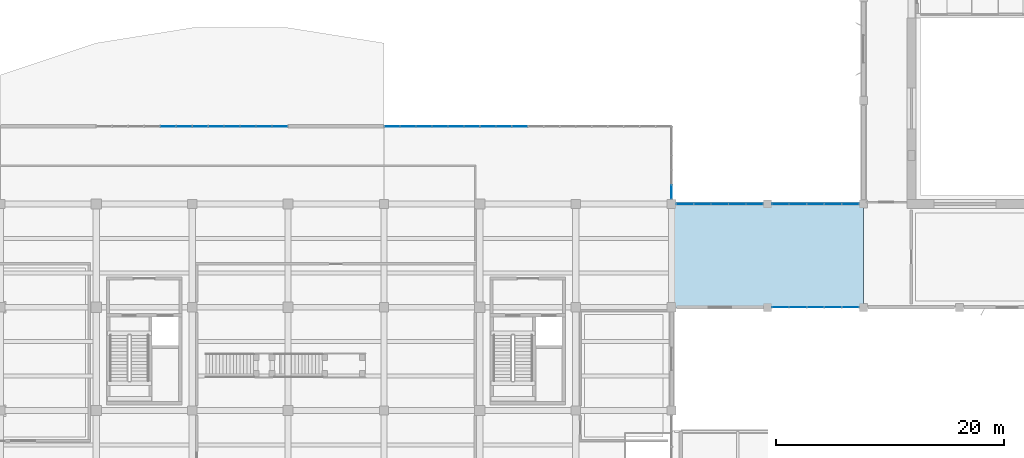
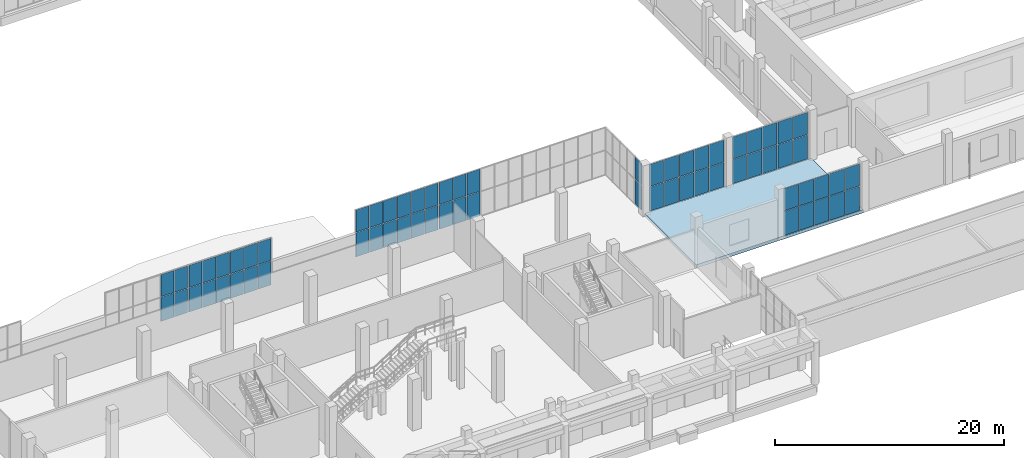
# One storey, part 65 of 91: 66 plates, 1 slab, 8 elements without a shape of their own.
"""IFC4 building model written with IfcOpenShell, lengths in metres."""

from ifc_helpers import new_model, si_unit, direction, frame, origin, origin_2d, place, context, subcontext, project, spatial, polyline, rectangle, outline, extrude, material, layer, layer_set, type_object, element, aggregate, save


model = new_model("IFC4")

# Units and contexts
model_context = context("Model", 3, precision=1e-05, world=origin(), true_north=direction((0.0, 1.0)))
body_context = subcontext(model_context, "Body", "Model", "MODEL_VIEW")
ifc_project = project(units=[si_unit("LENGTHUNIT", "METRE"), si_unit("AREAUNIT", "SQUARE_METRE"), si_unit("VOLUMEUNIT", "CUBIC_METRE"), si_unit("PLANEANGLEUNIT", "RADIAN"), si_unit("MASSUNIT", "GRAM", prefix="KILO")], contexts=[model_context])

# Site, building, storey
site_placement = place(None, origin())
site = spatial("IfcSite", under=ifc_project, at=site_placement, CompositionType="ELEMENT")
building_placement = place(site_placement, origin())
building = spatial("IfcBuilding", under=site, at=building_placement, Name="Khurvash Pelagic Aquarium", CompositionType="ELEMENT")
storey_placement = place(building_placement, origin())
storey = spatial("IfcBuildingStorey", under=building, at=storey_placement, Name="L00", CompositionType="ELEMENT", Elevation=0.0)

# Curtain wall, plates
ifc_material_1 = material(Name="Anodised aluminium and low-E laminated glass", Category="aluminium")
curtain_wall_type_1 = type_object("IfcCurtainWallType", Name="CW-02", PredefinedType="USERDEFINED", material=ifc_material_1)
curtain_wall_1_placement = place(storey_placement, origin())
curtain_wall_1 = element("IfcCurtainWall", 1, at=curtain_wall_1_placement, inside=storey, type_object=curtain_wall_type_1, Name="L00 Facade Unitised Curtain Wall CW-02 0060", ObjectType="UNITISED CURTAIN WALL", PredefinedType="USERDEFINED")
ifc_material_2 = material(Name="Low-E laminated double glazing", Category="glass")
ifc_layer_1 = layer(ifc_material_2, 0.031982421875)
ifc_layer_set_1 = layer_set([ifc_layer_1], Name="Low-E laminated double glazing")
plate_type_1 = type_object("IfcPlateType", Name="CG-02", PredefinedType="CURTAIN_PANEL", material=ifc_layer_set_1)
plate_1_placement = place(storey_placement, frame((118.739013671875, 20.699951171875, 0.06005859375), z_axis=(0.0, 0.0, 1.0), x_axis=(1.0, 0.0, 0.0)))
plate_1 = element("IfcPlate", 2, at=plate_1_placement, type_object=plate_type_1, Name="CW-02 panel 1.1", PredefinedType="CURTAIN_PANEL", context=body_context, shape_type="SweptSolid", body=[
    extrude(rectangle(XDim=1.447998046875, YDim=0.031982421875, at=origin_2d()), origin(), (0.0, 0.0, 1.0), 2.556884765625),
])
plate_2_placement = place(storey_placement, frame((118.739013671875, 20.699951171875, 2.677001953125), z_axis=(0.0, 0.0, 1.0), x_axis=(1.0, 0.0, 0.0)))
plate_2 = element("IfcPlate", 3, at=plate_2_placement, type_object=plate_type_1, Name="CW-02 panel 1.2", PredefinedType="CURTAIN_PANEL", context=body_context, shape_type="SweptSolid", body=[
    extrude(rectangle(XDim=1.447998046875, YDim=0.031982421875, at=origin_2d()), origin(), (0.0, 0.0, 1.0), 2.35302734375),
])
plate_3_placement = place(storey_placement, frame((120.261962890625, 20.699951171875, 0.06005859375), z_axis=(0.0, 0.0, 1.0), x_axis=(1.0, 0.0, 0.0)))
plate_3 = element("IfcPlate", 4, at=plate_3_placement, type_object=plate_type_1, Name="CW-02 panel 2.1", PredefinedType="CURTAIN_PANEL", context=body_context, shape_type="SweptSolid", body=[
    extrude(rectangle(XDim=1.47802734375, YDim=0.031982421875, at=origin_2d()), origin(), (0.0, 0.0, 1.0), 2.556884765625),
])
plate_4_placement = place(storey_placement, frame((120.261962890625, 20.699951171875, 2.677001953125), z_axis=(0.0, 0.0, 1.0), x_axis=(1.0, 0.0, 0.0)))
plate_4 = element("IfcPlate", 5, at=plate_4_placement, type_object=plate_type_1, Name="CW-02 panel 2.2", PredefinedType="CURTAIN_PANEL", context=body_context, shape_type="SweptSolid", body=[
    extrude(rectangle(XDim=1.47802734375, YDim=0.031982421875, at=origin_2d()), origin(), (0.0, 0.0, 1.0), 2.35302734375),
])
plate_5_placement = place(storey_placement, frame((121.800048828125, 20.699951171875, 0.06005859375), z_axis=(0.0, 0.0, 1.0), x_axis=(1.0, 0.0, 0.0)))
plate_5 = element("IfcPlate", 6, at=plate_5_placement, type_object=plate_type_1, Name="CW-02 panel 3.1", PredefinedType="CURTAIN_PANEL", context=body_context, shape_type="SweptSolid", body=[
    extrude(rectangle(XDim=1.47802734375, YDim=0.031982421875, at=origin_2d()), origin(), (0.0, 0.0, 1.0), 2.556884765625),
])
plate_6_placement = place(storey_placement, frame((121.800048828125, 20.699951171875, 2.677001953125), z_axis=(0.0, 0.0, 1.0), x_axis=(1.0, 0.0, 0.0)))
plate_6 = element("IfcPlate", 7, at=plate_6_placement, type_object=plate_type_1, Name="CW-02 panel 3.2", PredefinedType="CURTAIN_PANEL", context=body_context, shape_type="SweptSolid", body=[
    extrude(rectangle(XDim=1.47802734375, YDim=0.031982421875, at=origin_2d()), origin(), (0.0, 0.0, 1.0), 2.35302734375),
])
plate_7_placement = place(storey_placement, frame((123.337890625, 20.699951171875, 0.06005859375), z_axis=(0.0, 0.0, 1.0), x_axis=(1.0, 0.0, 0.0)))
plate_7 = element("IfcPlate", 8, at=plate_7_placement, type_object=plate_type_1, Name="CW-02 panel 4.1", PredefinedType="CURTAIN_PANEL", context=body_context, shape_type="SweptSolid", body=[
    extrude(rectangle(XDim=1.47802734375, YDim=0.031982421875, at=origin_2d()), origin(), (0.0, 0.0, 1.0), 2.556884765625),
])
plate_8_placement = place(storey_placement, frame((123.337890625, 20.699951171875, 2.677001953125), z_axis=(0.0, 0.0, 1.0), x_axis=(1.0, 0.0, 0.0)))
plate_8 = element("IfcPlate", 9, at=plate_8_placement, type_object=plate_type_1, Name="CW-02 panel 4.2", PredefinedType="CURTAIN_PANEL", context=body_context, shape_type="SweptSolid", body=[
    extrude(rectangle(XDim=1.47802734375, YDim=0.031982421875, at=origin_2d()), origin(), (0.0, 0.0, 1.0), 2.35302734375),
])
plate_9_placement = place(storey_placement, frame((124.861083984375, 20.699951171875, 0.06005859375), z_axis=(0.0, 0.0, 1.0), x_axis=(1.0, 0.0, 0.0)))
plate_9 = element("IfcPlate", 10, at=plate_9_placement, type_object=plate_type_1, Name="CW-02 panel 5.1", PredefinedType="CURTAIN_PANEL", context=body_context, shape_type="SweptSolid", body=[
    extrude(rectangle(XDim=1.447998046875, YDim=0.031982421875, at=origin_2d()), origin(), (0.0, 0.0, 1.0), 2.556884765625),
])
plate_10_placement = place(storey_placement, frame((124.861083984375, 20.699951171875, 2.677001953125), z_axis=(0.0, 0.0, 1.0), x_axis=(1.0, 0.0, 0.0)))
plate_10 = element("IfcPlate", 11, at=plate_10_placement, type_object=plate_type_1, Name="CW-02 panel 5.2", PredefinedType="CURTAIN_PANEL", context=body_context, shape_type="SweptSolid", body=[
    extrude(rectangle(XDim=1.447998046875, YDim=0.031982421875, at=origin_2d()), origin(), (0.0, 0.0, 1.0), 2.35302734375),
])
aggregate(curtain_wall_1, [plate_1, plate_2, plate_3, plate_4, plate_5, plate_6, plate_7, plate_8, plate_9, plate_10])

curtain_wall_2_placement = place(storey_placement, origin())
curtain_wall_2 = element("IfcCurtainWall", 12, at=curtain_wall_2_placement, inside=storey, type_object=curtain_wall_type_1, Name="L00 Facade Unitised Curtain Wall CW-02 0090", ObjectType="UNITISED CURTAIN WALL", PredefinedType="USERDEFINED")
plate_11_placement = place(storey_placement, frame((124.861083984375, 29.75, 0.06005859375), z_axis=(0.0, 0.0, 1.0), x_axis=(-1.0, 0.0, 0.0)))
plate_11 = element("IfcPlate", 13, at=plate_11_placement, type_object=plate_type_1, Name="CW-02 panel 1.1", PredefinedType="CURTAIN_PANEL", context=body_context, shape_type="SweptSolid", body=[
    extrude(rectangle(XDim=1.447998046875, YDim=0.031982421875, at=origin_2d()), origin(), (0.0, 0.0, 1.0), 2.556884765625),
])
plate_12_placement = place(storey_placement, frame((124.861083984375, 29.75, 2.677001953125), z_axis=(0.0, 0.0, 1.0), x_axis=(-1.0, 0.0, 0.0)))
plate_12 = element("IfcPlate", 14, at=plate_12_placement, type_object=plate_type_1, Name="CW-02 panel 1.2", PredefinedType="CURTAIN_PANEL", context=body_context, shape_type="SweptSolid", body=[
    extrude(rectangle(XDim=1.447998046875, YDim=0.031982421875, at=origin_2d()), origin(), (0.0, 0.0, 1.0), 2.35302734375),
])
plate_13_placement = place(storey_placement, frame((123.337890625, 29.75, 0.06005859375), z_axis=(0.0, 0.0, 1.0), x_axis=(-1.0, 0.0, 0.0)))
plate_13 = element("IfcPlate", 15, at=plate_13_placement, type_object=plate_type_1, Name="CW-02 panel 2.1", PredefinedType="CURTAIN_PANEL", context=body_context, shape_type="SweptSolid", body=[
    extrude(rectangle(XDim=1.47802734375, YDim=0.031982421875, at=origin_2d()), origin(), (0.0, 0.0, 1.0), 2.556884765625),
])
plate_14_placement = place(storey_placement, frame((123.337890625, 29.75, 2.677001953125), z_axis=(0.0, 0.0, 1.0), x_axis=(-1.0, 0.0, 0.0)))
plate_14 = element("IfcPlate", 16, at=plate_14_placement, type_object=plate_type_1, Name="CW-02 panel 2.2", PredefinedType="CURTAIN_PANEL", context=body_context, shape_type="SweptSolid", body=[
    extrude(rectangle(XDim=1.47802734375, YDim=0.031982421875, at=origin_2d()), origin(), (0.0, 0.0, 1.0), 2.35302734375),
])
plate_15_placement = place(storey_placement, frame((121.800048828125, 29.75, 0.06005859375), z_axis=(0.0, 0.0, 1.0), x_axis=(-1.0, 0.0, 0.0)))
plate_15 = element("IfcPlate", 17, at=plate_15_placement, type_object=plate_type_1, Name="CW-02 panel 3.1", PredefinedType="CURTAIN_PANEL", context=body_context, shape_type="SweptSolid", body=[
    extrude(rectangle(XDim=1.47802734375, YDim=0.031982421875, at=origin_2d()), origin(), (0.0, 0.0, 1.0), 2.556884765625),
])
plate_16_placement = place(storey_placement, frame((121.800048828125, 29.75, 2.677001953125), z_axis=(0.0, 0.0, 1.0), x_axis=(-1.0, 0.0, 0.0)))
plate_16 = element("IfcPlate", 18, at=plate_16_placement, type_object=plate_type_1, Name="CW-02 panel 3.2", PredefinedType="CURTAIN_PANEL", context=body_context, shape_type="SweptSolid", body=[
    extrude(rectangle(XDim=1.47802734375, YDim=0.031982421875, at=origin_2d()), origin(), (0.0, 0.0, 1.0), 2.35302734375),
])
plate_17_placement = place(storey_placement, frame((120.261962890625, 29.75, 0.06005859375), z_axis=(0.0, 0.0, 1.0), x_axis=(-1.0, 0.0, 0.0)))
plate_17 = element("IfcPlate", 19, at=plate_17_placement, type_object=plate_type_1, Name="CW-02 panel 4.1", PredefinedType="CURTAIN_PANEL", context=body_context, shape_type="SweptSolid", body=[
    extrude(rectangle(XDim=1.47802734375, YDim=0.031982421875, at=origin_2d()), origin(), (0.0, 0.0, 1.0), 2.556884765625),
])
plate_18_placement = place(storey_placement, frame((120.261962890625, 29.75, 2.677001953125), z_axis=(0.0, 0.0, 1.0), x_axis=(-1.0, 0.0, 0.0)))
plate_18 = element("IfcPlate", 20, at=plate_18_placement, type_object=plate_type_1, Name="CW-02 panel 4.2", PredefinedType="CURTAIN_PANEL", context=body_context, shape_type="SweptSolid", body=[
    extrude(rectangle(XDim=1.47802734375, YDim=0.031982421875, at=origin_2d()), origin(), (0.0, 0.0, 1.0), 2.35302734375),
])
plate_19_placement = place(storey_placement, frame((118.739013671875, 29.75, 0.06005859375), z_axis=(0.0, 0.0, 1.0), x_axis=(-1.0, 0.0, 0.0)))
plate_19 = element("IfcPlate", 21, at=plate_19_placement, type_object=plate_type_1, Name="CW-02 panel 5.1", PredefinedType="CURTAIN_PANEL", context=body_context, shape_type="SweptSolid", body=[
    extrude(rectangle(XDim=1.447998046875, YDim=0.031982421875, at=origin_2d()), origin(), (0.0, 0.0, 1.0), 2.556884765625),
])
plate_20_placement = place(storey_placement, frame((118.739013671875, 29.75, 2.677001953125), z_axis=(0.0, 0.0, 1.0), x_axis=(-1.0, 0.0, 0.0)))
plate_20 = element("IfcPlate", 22, at=plate_20_placement, type_object=plate_type_1, Name="CW-02 panel 5.2", PredefinedType="CURTAIN_PANEL", context=body_context, shape_type="SweptSolid", body=[
    extrude(rectangle(XDim=1.447998046875, YDim=0.031982421875, at=origin_2d()), origin(), (0.0, 0.0, 1.0), 2.35302734375),
])
aggregate(curtain_wall_2, [plate_11, plate_12, plate_13, plate_14, plate_15, plate_16, plate_17, plate_18, plate_19, plate_20])

curtain_wall_3_placement = place(storey_placement, origin())
curtain_wall_3 = element("IfcCurtainWall", 23, at=curtain_wall_3_placement, inside=storey, type_object=curtain_wall_type_1, Name="L00 Facade Unitised Curtain Wall CW-02 0091", ObjectType="UNITISED CURTAIN WALL", PredefinedType="USERDEFINED")
plate_21_placement = place(storey_placement, frame((116.466064453125, 29.75, 0.06005859375), z_axis=(0.0, 0.0, 1.0), x_axis=(-1.0, 0.0, 0.0)))
plate_21 = element("IfcPlate", 24, at=plate_21_placement, type_object=plate_type_1, Name="CW-02 panel 1.1", PredefinedType="CURTAIN_PANEL", context=body_context, shape_type="SweptSolid", body=[
    extrude(rectangle(XDim=1.43798828125, YDim=0.031982421875, at=origin_2d()), origin(), (0.0, 0.0, 1.0), 2.556884765625),
])
plate_22_placement = place(storey_placement, frame((116.466064453125, 29.75, 2.677001953125), z_axis=(0.0, 0.0, 1.0), x_axis=(-1.0, 0.0, 0.0)))
plate_22 = element("IfcPlate", 25, at=plate_22_placement, type_object=plate_type_1, Name="CW-02 panel 1.2", PredefinedType="CURTAIN_PANEL", context=body_context, shape_type="SweptSolid", body=[
    extrude(rectangle(XDim=1.43798828125, YDim=0.031982421875, at=origin_2d()), origin(), (0.0, 0.0, 1.0), 2.35302734375),
])
plate_23_placement = place(storey_placement, frame((114.952880859375, 29.75, 0.06005859375), z_axis=(0.0, 0.0, 1.0), x_axis=(-1.0, 0.0, 0.0)))
plate_23 = element("IfcPlate", 26, at=plate_23_placement, type_object=plate_type_1, Name="CW-02 panel 2.1", PredefinedType="CURTAIN_PANEL", context=body_context, shape_type="SweptSolid", body=[
    extrude(rectangle(XDim=1.468017578125, YDim=0.031982421875, at=origin_2d()), origin(), (0.0, 0.0, 1.0), 2.556884765625),
])
plate_24_placement = place(storey_placement, frame((114.952880859375, 29.75, 2.677001953125), z_axis=(0.0, 0.0, 1.0), x_axis=(-1.0, 0.0, 0.0)))
plate_24 = element("IfcPlate", 27, at=plate_24_placement, type_object=plate_type_1, Name="CW-02 panel 2.2", PredefinedType="CURTAIN_PANEL", context=body_context, shape_type="SweptSolid", body=[
    extrude(rectangle(XDim=1.468017578125, YDim=0.031982421875, at=origin_2d()), origin(), (0.0, 0.0, 1.0), 2.35302734375),
])
plate_25_placement = place(storey_placement, frame((113.425048828125, 29.75, 0.06005859375), z_axis=(0.0, 0.0, 1.0), x_axis=(-1.0, 0.0, 0.0)))
plate_25 = element("IfcPlate", 28, at=plate_25_placement, type_object=plate_type_1, Name="CW-02 panel 3.1", PredefinedType="CURTAIN_PANEL", context=body_context, shape_type="SweptSolid", body=[
    extrude(rectangle(XDim=1.468017578125, YDim=0.031982421875, at=origin_2d()), origin(), (0.0, 0.0, 1.0), 2.556884765625),
])
plate_26_placement = place(storey_placement, frame((113.425048828125, 29.75, 2.677001953125), z_axis=(0.0, 0.0, 1.0), x_axis=(-1.0, 0.0, 0.0)))
plate_26 = element("IfcPlate", 29, at=plate_26_placement, type_object=plate_type_1, Name="CW-02 panel 3.2", PredefinedType="CURTAIN_PANEL", context=body_context, shape_type="SweptSolid", body=[
    extrude(rectangle(XDim=1.468017578125, YDim=0.031982421875, at=origin_2d()), origin(), (0.0, 0.0, 1.0), 2.35302734375),
])
plate_27_placement = place(storey_placement, frame((111.89697265625, 29.75, 0.06005859375), z_axis=(0.0, 0.0, 1.0), x_axis=(-1.0, 0.0, 0.0)))
plate_27 = element("IfcPlate", 30, at=plate_27_placement, type_object=plate_type_1, Name="CW-02 panel 4.1", PredefinedType="CURTAIN_PANEL", context=body_context, shape_type="SweptSolid", body=[
    extrude(rectangle(XDim=1.468017578125, YDim=0.031982421875, at=origin_2d()), origin(), (0.0, 0.0, 1.0), 2.556884765625),
])
plate_28_placement = place(storey_placement, frame((111.89697265625, 29.75, 2.677001953125), z_axis=(0.0, 0.0, 1.0), x_axis=(-1.0, 0.0, 0.0)))
plate_28 = element("IfcPlate", 31, at=plate_28_placement, type_object=plate_type_1, Name="CW-02 panel 4.2", PredefinedType="CURTAIN_PANEL", context=body_context, shape_type="SweptSolid", body=[
    extrude(rectangle(XDim=1.468017578125, YDim=0.031982421875, at=origin_2d()), origin(), (0.0, 0.0, 1.0), 2.35302734375),
])
plate_29_placement = place(storey_placement, frame((110.384033203125, 29.75, 0.06005859375), z_axis=(0.0, 0.0, 1.0), x_axis=(-1.0, 0.0, 0.0)))
plate_29 = element("IfcPlate", 32, at=plate_29_placement, type_object=plate_type_1, Name="CW-02 panel 5.1", PredefinedType="CURTAIN_PANEL", context=body_context, shape_type="SweptSolid", body=[
    extrude(rectangle(XDim=1.43798828125, YDim=0.031982421875, at=origin_2d()), origin(), (0.0, 0.0, 1.0), 2.556884765625),
])
plate_30_placement = place(storey_placement, frame((110.384033203125, 29.75, 2.677001953125), z_axis=(0.0, 0.0, 1.0), x_axis=(-1.0, 0.0, 0.0)))
plate_30 = element("IfcPlate", 33, at=plate_30_placement, type_object=plate_type_1, Name="CW-02 panel 5.2", PredefinedType="CURTAIN_PANEL", context=body_context, shape_type="SweptSolid", body=[
    extrude(rectangle(XDim=1.43798828125, YDim=0.031982421875, at=origin_2d()), origin(), (0.0, 0.0, 1.0), 2.35302734375),
])
aggregate(curtain_wall_3, [plate_21, plate_22, plate_23, plate_24, plate_25, plate_26, plate_27, plate_28, plate_29, plate_30])

curtain_wall_4_placement = place(storey_placement, origin())
curtain_wall_4 = element("IfcCurtainWall", 34, at=curtain_wall_4_placement, inside=storey, type_object=curtain_wall_type_1, Name="L00 Facade Unitised Curtain Wall CW-02 0094", ObjectType="UNITISED CURTAIN WALL", PredefinedType="USERDEFINED")
plate_31_placement = place(storey_placement, frame((95.89990234375, 36.550048828125, 0.06005859375), z_axis=(0.0, 0.0, 1.0), x_axis=(-1.0, 0.0, 0.0)))
plate_31 = element("IfcPlate", 35, at=plate_31_placement, type_object=plate_type_1, Name="CW-02 panel 4.1", PredefinedType="CURTAIN_PANEL", context=body_context, shape_type="SweptSolid", body=[
    extrude(rectangle(XDim=1.340087890625, YDim=0.031982421875, at=origin_2d()), origin(), (0.0, 0.0, 1.0), 2.556884765625),
])
plate_32_placement = place(storey_placement, frame((95.89990234375, 36.550048828125, 2.677001953125), z_axis=(0.0, 0.0, 1.0), x_axis=(-1.0, 0.0, 0.0)))
plate_32 = element("IfcPlate", 36, at=plate_32_placement, type_object=plate_type_1, Name="CW-02 panel 4.2", PredefinedType="CURTAIN_PANEL", context=body_context, shape_type="SweptSolid", body=[
    extrude(rectangle(XDim=1.340087890625, YDim=0.031982421875, at=origin_2d()), origin(), (0.0, 0.0, 1.0), 2.35302734375),
])
plate_33_placement = place(storey_placement, frame((94.5, 36.550048828125, 0.06005859375), z_axis=(0.0, 0.0, 1.0), x_axis=(-1.0, 0.0, 0.0)))
plate_33 = element("IfcPlate", 37, at=plate_33_placement, type_object=plate_type_1, Name="CW-02 panel 5.1", PredefinedType="CURTAIN_PANEL", context=body_context, shape_type="SweptSolid", body=[
    extrude(rectangle(XDim=1.340087890625, YDim=0.031982421875, at=origin_2d()), origin(), (0.0, 0.0, 1.0), 2.556884765625),
])
plate_34_placement = place(storey_placement, frame((94.5, 36.550048828125, 2.677001953125), z_axis=(0.0, 0.0, 1.0), x_axis=(-1.0, 0.0, 0.0)))
plate_34 = element("IfcPlate", 38, at=plate_34_placement, type_object=plate_type_1, Name="CW-02 panel 5.2", PredefinedType="CURTAIN_PANEL", context=body_context, shape_type="SweptSolid", body=[
    extrude(rectangle(XDim=1.340087890625, YDim=0.031982421875, at=origin_2d()), origin(), (0.0, 0.0, 1.0), 2.35302734375),
])
plate_35_placement = place(storey_placement, frame((93.114990234375, 36.550048828125, 0.06005859375), z_axis=(0.0, 0.0, 1.0), x_axis=(-1.0, 0.0, 0.0)))
plate_35 = element("IfcPlate", 39, at=plate_35_placement, type_object=plate_type_1, Name="CW-02 panel 6.1", PredefinedType="CURTAIN_PANEL", context=body_context, shape_type="SweptSolid", body=[
    extrude(rectangle(XDim=1.31005859375, YDim=0.031982421875, at=origin_2d()), origin(), (0.0, 0.0, 1.0), 2.556884765625),
])
plate_36_placement = place(storey_placement, frame((93.114990234375, 36.550048828125, 2.677001953125), z_axis=(0.0, 0.0, 1.0), x_axis=(-1.0, 0.0, 0.0)))
plate_36 = element("IfcPlate", 40, at=plate_36_placement, type_object=plate_type_1, Name="CW-02 panel 6.2", PredefinedType="CURTAIN_PANEL", context=body_context, shape_type="SweptSolid", body=[
    extrude(rectangle(XDim=1.31005859375, YDim=0.031982421875, at=origin_2d()), origin(), (0.0, 0.0, 1.0), 2.35302734375),
])
aggregate(curtain_wall_4, [plate_31, plate_32, plate_33, plate_34, plate_35, plate_36])

curtain_wall_5_placement = place(storey_placement, origin())
curtain_wall_5 = element("IfcCurtainWall", 41, at=curtain_wall_5_placement, inside=storey, type_object=curtain_wall_type_1, Name="L00 Facade Unitised Curtain Wall CW-02 0095", ObjectType="UNITISED CURTAIN WALL", PredefinedType="USERDEFINED")
plate_37_placement = place(storey_placement, frame((91.68505859375, 36.550048828125, 0.06005859375), z_axis=(0.0, 0.0, 1.0), x_axis=(-1.0, 0.0, 0.0)))
plate_37 = element("IfcPlate", 42, at=plate_37_placement, type_object=plate_type_1, Name="CW-02 panel 1.1", PredefinedType="CURTAIN_PANEL", context=body_context, shape_type="SweptSolid", body=[
    extrude(rectangle(XDim=1.31005859375, YDim=0.031982421875, at=origin_2d()), origin(), (0.0, 0.0, 1.0), 2.556884765625),
])
plate_38_placement = place(storey_placement, frame((91.68505859375, 36.550048828125, 2.677001953125), z_axis=(0.0, 0.0, 1.0), x_axis=(-1.0, 0.0, 0.0)))
plate_38 = element("IfcPlate", 43, at=plate_38_placement, type_object=plate_type_1, Name="CW-02 panel 1.2", PredefinedType="CURTAIN_PANEL", context=body_context, shape_type="SweptSolid", body=[
    extrude(rectangle(XDim=1.31005859375, YDim=0.031982421875, at=origin_2d()), origin(), (0.0, 0.0, 1.0), 2.35302734375),
])
plate_39_placement = place(storey_placement, frame((90.300048828125, 36.550048828125, 0.06005859375), z_axis=(0.0, 0.0, 1.0), x_axis=(-1.0, 0.0, 0.0)))
plate_39 = element("IfcPlate", 44, at=plate_39_placement, type_object=plate_type_1, Name="CW-02 panel 2.1", PredefinedType="CURTAIN_PANEL", context=body_context, shape_type="SweptSolid", body=[
    extrude(rectangle(XDim=1.340087890625, YDim=0.031982421875, at=origin_2d()), origin(), (0.0, 0.0, 1.0), 2.556884765625),
])
plate_40_placement = place(storey_placement, frame((90.300048828125, 36.550048828125, 2.677001953125), z_axis=(0.0, 0.0, 1.0), x_axis=(-1.0, 0.0, 0.0)))
plate_40 = element("IfcPlate", 45, at=plate_40_placement, type_object=plate_type_1, Name="CW-02 panel 2.2", PredefinedType="CURTAIN_PANEL", context=body_context, shape_type="SweptSolid", body=[
    extrude(rectangle(XDim=1.340087890625, YDim=0.031982421875, at=origin_2d()), origin(), (0.0, 0.0, 1.0), 2.35302734375),
])
plate_41_placement = place(storey_placement, frame((88.89990234375, 36.550048828125, 0.06005859375), z_axis=(0.0, 0.0, 1.0), x_axis=(-1.0, 0.0, 0.0)))
plate_41 = element("IfcPlate", 46, at=plate_41_placement, type_object=plate_type_1, Name="CW-02 panel 3.1", PredefinedType="CURTAIN_PANEL", context=body_context, shape_type="SweptSolid", body=[
    extrude(rectangle(XDim=1.340087890625, YDim=0.031982421875, at=origin_2d()), origin(), (0.0, 0.0, 1.0), 2.556884765625),
])
plate_42_placement = place(storey_placement, frame((88.89990234375, 36.550048828125, 2.677001953125), z_axis=(0.0, 0.0, 1.0), x_axis=(-1.0, 0.0, 0.0)))
plate_42 = element("IfcPlate", 47, at=plate_42_placement, type_object=plate_type_1, Name="CW-02 panel 3.2", PredefinedType="CURTAIN_PANEL", context=body_context, shape_type="SweptSolid", body=[
    extrude(rectangle(XDim=1.340087890625, YDim=0.031982421875, at=origin_2d()), origin(), (0.0, 0.0, 1.0), 2.35302734375),
])
plate_43_placement = place(storey_placement, frame((87.5, 36.550048828125, 0.06005859375), z_axis=(0.0, 0.0, 1.0), x_axis=(-1.0, 0.0, 0.0)))
plate_43 = element("IfcPlate", 48, at=plate_43_placement, type_object=plate_type_1, Name="CW-02 panel 4.1", PredefinedType="CURTAIN_PANEL", context=body_context, shape_type="SweptSolid", body=[
    extrude(rectangle(XDim=1.340087890625, YDim=0.031982421875, at=origin_2d()), origin(), (0.0, 0.0, 1.0), 2.556884765625),
])
plate_44_placement = place(storey_placement, frame((87.5, 36.550048828125, 2.677001953125), z_axis=(0.0, 0.0, 1.0), x_axis=(-1.0, 0.0, 0.0)))
plate_44 = element("IfcPlate", 49, at=plate_44_placement, type_object=plate_type_1, Name="CW-02 panel 4.2", PredefinedType="CURTAIN_PANEL", context=body_context, shape_type="SweptSolid", body=[
    extrude(rectangle(XDim=1.340087890625, YDim=0.031982421875, at=origin_2d()), origin(), (0.0, 0.0, 1.0), 2.35302734375),
])
plate_45_placement = place(storey_placement, frame((86.10009765625, 36.550048828125, 0.06005859375), z_axis=(0.0, 0.0, 1.0), x_axis=(-1.0, 0.0, 0.0)))
plate_45 = element("IfcPlate", 50, at=plate_45_placement, type_object=plate_type_1, Name="CW-02 panel 5.1", PredefinedType="CURTAIN_PANEL", context=body_context, shape_type="SweptSolid", body=[
    extrude(rectangle(XDim=1.340087890625, YDim=0.031982421875, at=origin_2d()), origin(), (0.0, 0.0, 1.0), 2.556884765625),
])
plate_46_placement = place(storey_placement, frame((86.10009765625, 36.550048828125, 2.677001953125), z_axis=(0.0, 0.0, 1.0), x_axis=(-1.0, 0.0, 0.0)))
plate_46 = element("IfcPlate", 51, at=plate_46_placement, type_object=plate_type_1, Name="CW-02 panel 5.2", PredefinedType="CURTAIN_PANEL", context=body_context, shape_type="SweptSolid", body=[
    extrude(rectangle(XDim=1.340087890625, YDim=0.031982421875, at=origin_2d()), origin(), (0.0, 0.0, 1.0), 2.35302734375),
])
plate_47_placement = place(storey_placement, frame((84.715087890625, 36.550048828125, 0.06005859375), z_axis=(0.0, 0.0, 1.0), x_axis=(-1.0, 0.0, 0.0)))
plate_47 = element("IfcPlate", 52, at=plate_47_placement, type_object=plate_type_1, Name="CW-02 panel 6.1", PredefinedType="CURTAIN_PANEL", context=body_context, shape_type="SweptSolid", body=[
    extrude(rectangle(XDim=1.31005859375, YDim=0.031982421875, at=origin_2d()), origin(), (0.0, 0.0, 1.0), 2.556884765625),
])
plate_48_placement = place(storey_placement, frame((84.715087890625, 36.550048828125, 2.677001953125), z_axis=(0.0, 0.0, 1.0), x_axis=(-1.0, 0.0, 0.0)))
plate_48 = element("IfcPlate", 53, at=plate_48_placement, type_object=plate_type_1, Name="CW-02 panel 6.2", PredefinedType="CURTAIN_PANEL", context=body_context, shape_type="SweptSolid", body=[
    extrude(rectangle(XDim=1.31005859375, YDim=0.031982421875, at=origin_2d()), origin(), (0.0, 0.0, 1.0), 2.35302734375),
])
aggregate(curtain_wall_5, [plate_37, plate_38, plate_39, plate_40, plate_41, plate_42, plate_43, plate_44, plate_45, plate_46, plate_47, plate_48])

curtain_wall_6_placement = place(storey_placement, origin())
curtain_wall_6 = element("IfcCurtainWall", 54, at=curtain_wall_6_placement, inside=storey, type_object=curtain_wall_type_1, Name="L00 Facade Unitised Curtain Wall CW-02 0096", ObjectType="UNITISED CURTAIN WALL", PredefinedType="USERDEFINED")
plate_49_placement = place(storey_placement, frame((74.885009765625, 36.550048828125, 0.06005859375), z_axis=(0.0, 0.0, 1.0), x_axis=(-1.0, 0.0, 0.0)))
plate_49 = element("IfcPlate", 55, at=plate_49_placement, type_object=plate_type_1, Name="CW-02 panel 1.1", PredefinedType="CURTAIN_PANEL", context=body_context, shape_type="SweptSolid", body=[
    extrude(rectangle(XDim=1.31005859375, YDim=0.031982421875, at=origin_2d()), origin(), (0.0, 0.0, 1.0), 2.556884765625),
])
plate_50_placement = place(storey_placement, frame((74.885009765625, 36.550048828125, 2.677001953125), z_axis=(0.0, 0.0, 1.0), x_axis=(-1.0, 0.0, 0.0)))
plate_50 = element("IfcPlate", 56, at=plate_50_placement, type_object=plate_type_1, Name="CW-02 panel 1.2", PredefinedType="CURTAIN_PANEL", context=body_context, shape_type="SweptSolid", body=[
    extrude(rectangle(XDim=1.31005859375, YDim=0.031982421875, at=origin_2d()), origin(), (0.0, 0.0, 1.0), 2.35302734375),
])
plate_51_placement = place(storey_placement, frame((73.5, 36.550048828125, 0.06005859375), z_axis=(0.0, 0.0, 1.0), x_axis=(-1.0, 0.0, 0.0)))
plate_51 = element("IfcPlate", 57, at=plate_51_placement, type_object=plate_type_1, Name="CW-02 panel 2.1", PredefinedType="CURTAIN_PANEL", context=body_context, shape_type="SweptSolid", body=[
    extrude(rectangle(XDim=1.340087890625, YDim=0.031982421875, at=origin_2d()), origin(), (0.0, 0.0, 1.0), 2.556884765625),
])
plate_52_placement = place(storey_placement, frame((73.5, 36.550048828125, 2.677001953125), z_axis=(0.0, 0.0, 1.0), x_axis=(-1.0, 0.0, 0.0)))
plate_52 = element("IfcPlate", 58, at=plate_52_placement, type_object=plate_type_1, Name="CW-02 panel 2.2", PredefinedType="CURTAIN_PANEL", context=body_context, shape_type="SweptSolid", body=[
    extrude(rectangle(XDim=1.340087890625, YDim=0.031982421875, at=origin_2d()), origin(), (0.0, 0.0, 1.0), 2.35302734375),
])
plate_53_placement = place(storey_placement, frame((72.10009765625, 36.550048828125, 0.06005859375), z_axis=(0.0, 0.0, 1.0), x_axis=(-1.0, 0.0, 0.0)))
plate_53 = element("IfcPlate", 59, at=plate_53_placement, type_object=plate_type_1, Name="CW-02 panel 3.1", PredefinedType="CURTAIN_PANEL", context=body_context, shape_type="SweptSolid", body=[
    extrude(rectangle(XDim=1.340087890625, YDim=0.031982421875, at=origin_2d()), origin(), (0.0, 0.0, 1.0), 2.556884765625),
])
plate_54_placement = place(storey_placement, frame((72.10009765625, 36.550048828125, 2.677001953125), z_axis=(0.0, 0.0, 1.0), x_axis=(-1.0, 0.0, 0.0)))
plate_54 = element("IfcPlate", 60, at=plate_54_placement, type_object=plate_type_1, Name="CW-02 panel 3.2", PredefinedType="CURTAIN_PANEL", context=body_context, shape_type="SweptSolid", body=[
    extrude(rectangle(XDim=1.340087890625, YDim=0.031982421875, at=origin_2d()), origin(), (0.0, 0.0, 1.0), 2.35302734375),
])
plate_55_placement = place(storey_placement, frame((70.699951171875, 36.550048828125, 0.06005859375), z_axis=(0.0, 0.0, 1.0), x_axis=(-1.0, 0.0, 0.0)))
plate_55 = element("IfcPlate", 61, at=plate_55_placement, type_object=plate_type_1, Name="CW-02 panel 4.1", PredefinedType="CURTAIN_PANEL", context=body_context, shape_type="SweptSolid", body=[
    extrude(rectangle(XDim=1.340087890625, YDim=0.031982421875, at=origin_2d()), origin(), (0.0, 0.0, 1.0), 2.556884765625),
])
plate_56_placement = place(storey_placement, frame((70.699951171875, 36.550048828125, 2.677001953125), z_axis=(0.0, 0.0, 1.0), x_axis=(-1.0, 0.0, 0.0)))
plate_56 = element("IfcPlate", 62, at=plate_56_placement, type_object=plate_type_1, Name="CW-02 panel 4.2", PredefinedType="CURTAIN_PANEL", context=body_context, shape_type="SweptSolid", body=[
    extrude(rectangle(XDim=1.340087890625, YDim=0.031982421875, at=origin_2d()), origin(), (0.0, 0.0, 1.0), 2.35302734375),
])
plate_57_placement = place(storey_placement, frame((69.300048828125, 36.550048828125, 0.06005859375), z_axis=(0.0, 0.0, 1.0), x_axis=(-1.0, 0.0, 0.0)))
plate_57 = element("IfcPlate", 63, at=plate_57_placement, type_object=plate_type_1, Name="CW-02 panel 5.1", PredefinedType="CURTAIN_PANEL", context=body_context, shape_type="SweptSolid", body=[
    extrude(rectangle(XDim=1.340087890625, YDim=0.031982421875, at=origin_2d()), origin(), (0.0, 0.0, 1.0), 2.556884765625),
])
plate_58_placement = place(storey_placement, frame((69.300048828125, 36.550048828125, 2.677001953125), z_axis=(0.0, 0.0, 1.0), x_axis=(-1.0, 0.0, 0.0)))
plate_58 = element("IfcPlate", 64, at=plate_58_placement, type_object=plate_type_1, Name="CW-02 panel 5.2", PredefinedType="CURTAIN_PANEL", context=body_context, shape_type="SweptSolid", body=[
    extrude(rectangle(XDim=1.340087890625, YDim=0.031982421875, at=origin_2d()), origin(), (0.0, 0.0, 1.0), 2.35302734375),
])
plate_59_placement = place(storey_placement, frame((67.9150390625, 36.550048828125, 0.06005859375), z_axis=(0.0, 0.0, 1.0), x_axis=(-1.0, 0.0, 0.0)))
plate_59 = element("IfcPlate", 65, at=plate_59_placement, type_object=plate_type_1, Name="CW-02 panel 6.1", PredefinedType="CURTAIN_PANEL", context=body_context, shape_type="SweptSolid", body=[
    extrude(rectangle(XDim=1.31005859375, YDim=0.031982421875, at=origin_2d()), origin(), (0.0, 0.0, 1.0), 2.556884765625),
])
plate_60_placement = place(storey_placement, frame((67.9150390625, 36.550048828125, 2.677001953125), z_axis=(0.0, 0.0, 1.0), x_axis=(-1.0, 0.0, 0.0)))
plate_60 = element("IfcPlate", 66, at=plate_60_placement, type_object=plate_type_1, Name="CW-02 panel 6.2", PredefinedType="CURTAIN_PANEL", context=body_context, shape_type="SweptSolid", body=[
    extrude(rectangle(XDim=1.31005859375, YDim=0.031982421875, at=origin_2d()), origin(), (0.0, 0.0, 1.0), 2.35302734375),
])
aggregate(curtain_wall_6, [plate_49, plate_50, plate_51, plate_52, plate_53, plate_54, plate_55, plate_56, plate_57, plate_58, plate_59, plate_60])

curtain_wall_7_placement = place(storey_placement, origin())
curtain_wall_7 = element("IfcCurtainWall", 67, at=curtain_wall_7_placement, inside=storey, type_object=curtain_wall_type_1, Name="L00 Facade Unitised Curtain Wall CW-02 0097", ObjectType="UNITISED CURTAIN WALL", PredefinedType="USERDEFINED")
plate_61_placement = place(storey_placement, frame((66.485107421875, 36.550048828125, 0.06005859375), z_axis=(0.0, 0.0, 1.0), x_axis=(-1.0, 0.0, 0.0)))
plate_61 = element("IfcPlate", 68, at=plate_61_placement, type_object=plate_type_1, Name="CW-02 panel 1.1", PredefinedType="CURTAIN_PANEL", context=body_context, shape_type="SweptSolid", body=[
    extrude(rectangle(XDim=1.31005859375, YDim=0.031982421875, at=origin_2d()), origin(), (0.0, 0.0, 1.0), 2.556884765625),
])
plate_62_placement = place(storey_placement, frame((66.485107421875, 36.550048828125, 2.677001953125), z_axis=(0.0, 0.0, 1.0), x_axis=(-1.0, 0.0, 0.0)))
plate_62 = element("IfcPlate", 69, at=plate_62_placement, type_object=plate_type_1, Name="CW-02 panel 1.2", PredefinedType="CURTAIN_PANEL", context=body_context, shape_type="SweptSolid", body=[
    extrude(rectangle(XDim=1.31005859375, YDim=0.031982421875, at=origin_2d()), origin(), (0.0, 0.0, 1.0), 2.35302734375),
])
plate_63_placement = place(storey_placement, frame((65.10009765625, 36.550048828125, 0.06005859375), z_axis=(0.0, 0.0, 1.0), x_axis=(-1.0, 0.0, 0.0)))
plate_63 = element("IfcPlate", 70, at=plate_63_placement, type_object=plate_type_1, Name="CW-02 panel 2.1", PredefinedType="CURTAIN_PANEL", context=body_context, shape_type="SweptSolid", body=[
    extrude(rectangle(XDim=1.340087890625, YDim=0.031982421875, at=origin_2d()), origin(), (0.0, 0.0, 1.0), 2.556884765625),
])
plate_64_placement = place(storey_placement, frame((65.10009765625, 36.550048828125, 2.677001953125), z_axis=(0.0, 0.0, 1.0), x_axis=(-1.0, 0.0, 0.0)))
plate_64 = element("IfcPlate", 71, at=plate_64_placement, type_object=plate_type_1, Name="CW-02 panel 2.2", PredefinedType="CURTAIN_PANEL", context=body_context, shape_type="SweptSolid", body=[
    extrude(rectangle(XDim=1.340087890625, YDim=0.031982421875, at=origin_2d()), origin(), (0.0, 0.0, 1.0), 2.35302734375),
])
aggregate(curtain_wall_7, [plate_61, plate_62, plate_63, plate_64])

curtain_wall_type_2 = type_object("IfcCurtainWallType", Name="CW-05", PredefinedType="USERDEFINED", material=ifc_material_1)
curtain_wall_8_placement = place(storey_placement, origin())
curtain_wall_8 = element("IfcCurtainWall", 72, at=curtain_wall_8_placement, inside=storey, type_object=curtain_wall_type_2, Name="L00 Facade Unitised Curtain Wall CW-05 0092", ObjectType="UNITISED CURTAIN WALL", PredefinedType="USERDEFINED")
ifc_layer_2 = layer(ifc_material_2, 0.033935546875)
ifc_layer_set_2 = layer_set([ifc_layer_2], Name="Low-E laminated double glazing")
plate_type_2 = type_object("IfcPlateType", Name="CG-05", PredefinedType="CURTAIN_PANEL", material=ifc_layer_set_2)
plate_65_placement = place(storey_placement, frame((109.199951171875, 30.8095703125, 0.06005859375), z_axis=(0.0, 0.0, 1.0), x_axis=(0.0, 1.0, 0.0)))
plate_65 = element("IfcPlate", 73, at=plate_65_placement, type_object=plate_type_2, Name="CW-05 panel 1.1", PredefinedType="CURTAIN_PANEL", context=body_context, shape_type="SweptSolid", body=[
    extrude(rectangle(XDim=1.18896484375, YDim=0.033935546875, at=origin_2d()), origin(), (0.0, 0.0, 1.0), 2.556884765625),
])
plate_66_placement = place(storey_placement, frame((109.199951171875, 30.8095703125, 2.677001953125), z_axis=(0.0, 0.0, 1.0), x_axis=(0.0, 1.0, 0.0)))
plate_66 = element("IfcPlate", 74, at=plate_66_placement, type_object=plate_type_2, Name="CW-05 panel 1.2", PredefinedType="CURTAIN_PANEL", context=body_context, shape_type="SweptSolid", body=[
    extrude(rectangle(XDim=1.18896484375, YDim=0.033935546875, at=origin_2d()), origin(), (0.0, 0.0, 1.0), 2.35302734375),
])
aggregate(curtain_wall_8, [plate_65, plate_66])

# Slab
ifc_material_3 = material(Name="Concrete C40/50", Category="concrete")
ifc_layer_3 = layer(ifc_material_3, 0.320068359375)
ifc_layer_set_3 = layer_set([ifc_layer_3], Name="Concrete C40/50")
slab_type = type_object("IfcSlabType", Name="FS-320", PredefinedType="FLOOR", material=ifc_layer_set_3)
slab_placement = place(storey_placement, frame((0.0, 0.0, -0.320068359375)))
element("IfcSlab", 75, at=slab_placement, inside=storey, type_object=slab_type, Name="L00 Structural Floor Slab FS-320 V1_SLINK.1", PredefinedType="FLOOR", context=body_context, shape_type="SweptSolid", body=[
    extrude(outline(polyline([(126.0, 29.75), (109.199951171875, 29.75), (109.199951171875, 20.699951171875), (126.0, 20.699951171875), (126.0, 29.75)])), origin(), (0.0, 0.0, 1.0), 0.320068359375),
])

save(model, "model.ifc")
